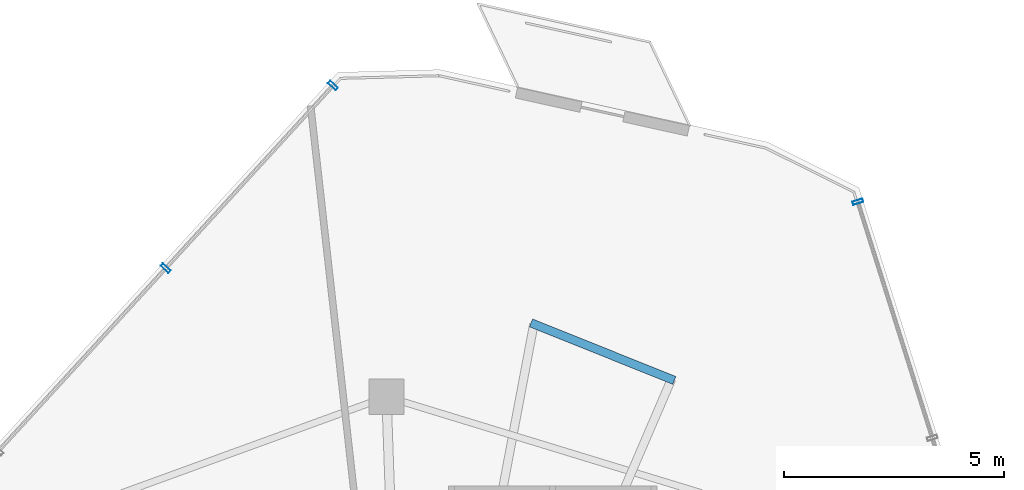
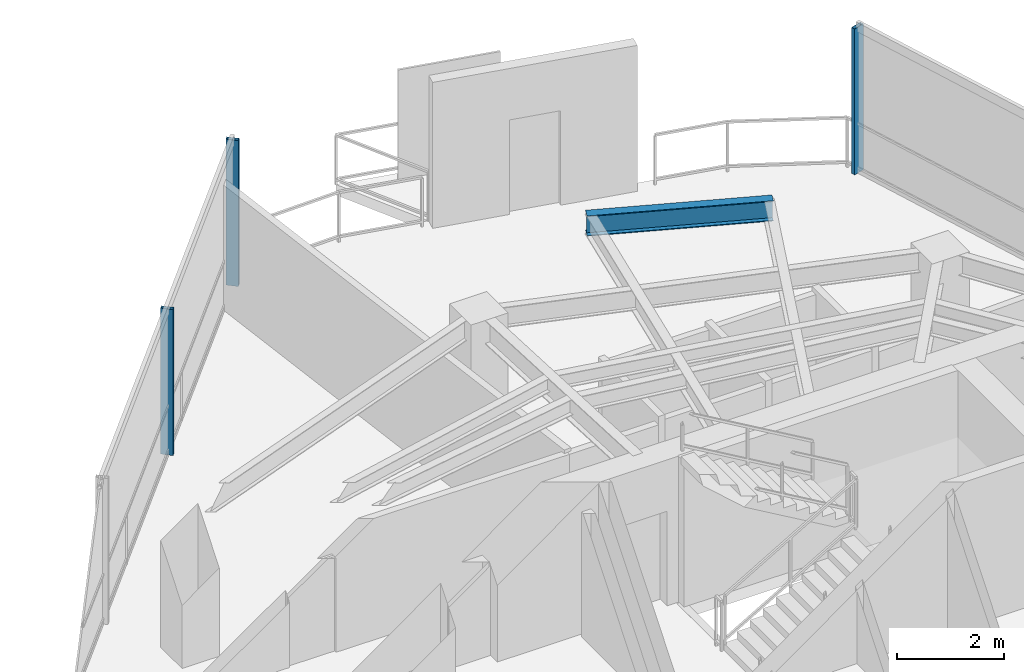
# One storey, part 13 of 18: 3 members, 1 beam, 2 elements without a shape of their own.
"""IFC4 building model written with IfcOpenShell, lengths in metres."""

from ifc_helpers import new_model, si_unit, direction, frame, origin, origin_2d, place, context, subcontext, project, spatial, hollow_rectangle, i_section, extrude, material, layer, layer_set, material_profile, profile_set, type_object, element, aggregate, save


model = new_model("IFC4")

# Units and contexts
model_context = context("Model", 3, precision=1e-05, world=origin(), true_north=direction((0.0, 1.0)))
body_context = subcontext(model_context, "Body", "Model", "MODEL_VIEW")
ifc_project = project(units=[si_unit("LENGTHUNIT", "METRE"), si_unit("AREAUNIT", "SQUARE_METRE"), si_unit("VOLUMEUNIT", "CUBIC_METRE"), si_unit("PLANEANGLEUNIT", "RADIAN"), si_unit("MASSUNIT", "GRAM", prefix="KILO")], contexts=[model_context])

# Site, building, storey
site_placement = place(None, origin())
site = spatial("IfcSite", under=ifc_project, at=site_placement, CompositionType="ELEMENT")
building_placement = place(site_placement, origin())
building = spatial("IfcBuilding", under=site, at=building_placement, Name="Qarnah Convention Tower", CompositionType="ELEMENT")
storey_placement = place(building_placement, frame((0.0, 0.0, 246.300048828125)))
storey = spatial("IfcBuildingStorey", under=building, at=storey_placement, Name="L66", CompositionType="ELEMENT", Elevation=246.300048828125)

# Beam
ifc_material_1 = material(Name="Structural steel S355JR", Category="steel")
ifc_material_profile_1 = material_profile(ifc_material_1, i_section(OverallWidth=0.19189453125, OverallDepth=0.464111328125, WebThickness=0.010986328125, FlangeThickness=0.01806640625, at=origin_2d()), Name="W460X89")
ifc_profile_set_1 = profile_set([ifc_material_profile_1], Name="Structural steel S355JR")
beam_type = type_object("IfcBeamType", Name="BM-CANT-W460A", PredefinedType="BEAM", material=ifc_profile_set_1)
beam_placement = place(storey_placement, frame((40.009033203125, 41.6201171875, 3.087890625), z_axis=(0.928063247738, -0.372422620417, 0.0), x_axis=(0.372422620417, 0.928063247738, 0.0)))
element("IfcBeam", 1, at=beam_placement, inside=storey, type_object=beam_type, Name="L66 spandrel BM-L66-CTIE-01", PredefinedType="SPANDREL", context=body_context, shape_type="SweptSolid", body=[
    extrude(i_section(OverallWidth=0.19189453125, OverallDepth=0.464111328125, WebThickness=0.010986328125, FlangeThickness=0.01806640625, at=origin_2d()), origin(), (0.0, 0.0, 1.0), 3.507080078125),
])

# Curtain wall, members
ifc_material_2 = material(Name="Tempered Low-E dark glass", Category="glass")
ifc_layer = layer(ifc_material_2, 0.176025390625)
ifc_layer_set = layer_set([ifc_layer], Name="Tempered Low-E dark glass")
curtain_wall_type = type_object("IfcCurtainWallType", Name="CWS-05", PredefinedType="NOTDEFINED", material=ifc_layer_set)
curtain_wall_1_placement = place(storey_placement, origin())
curtain_wall_1 = element("IfcCurtainWall", 2, at=curtain_wall_1_placement, inside=storey, type_object=curtain_wall_type, Name="L66 unitised curtain wall CW-L66-F1", PredefinedType="NOTDEFINED")
ifc_material_3 = material(Name="Black anodised aluminium", Category="aluminium")
ifc_material_profile_2 = material_profile(ifc_material_3, hollow_rectangle(XDim=0.080078125, YDim=0.239990234375, WallThickness=0.0048828125, at=origin_2d()), Name="MUL-80X240")
ifc_profile_set_2 = profile_set([ifc_material_profile_2], Name="Black anodised aluminium")
member_type = type_object("IfcMemberType", Name="MUL-T5", PredefinedType="MULLION", material=ifc_profile_set_2)
member_1_placement = place(storey_placement, frame((31.710693359375, 42.863037109375, 0.0), z_axis=(0.0, 0.0, 1.0), x_axis=(0.675336373666, 0.737509852411, 0.0)))
member_1 = element("IfcMember", 3, at=member_1_placement, type_object=member_type, Name="CW-L66-F1 mullion 5", PredefinedType="MULLION", context=body_context, shape_type="SweptSolid", body=[
    extrude(hollow_rectangle(XDim=0.080078125, YDim=0.239990234375, WallThickness=0.0048828125, at=origin_2d()), origin(), (0.0, 0.0, 1.0), 3.320068359375),
])
member_2_placement = place(storey_placement, frame((35.508056640625, 47.010009765625, 0.0), z_axis=(0.0, 0.0, 1.0), x_axis=(0.675336373666, 0.737509852411, 0.0)))
member_2 = element("IfcMember", 4, at=member_2_placement, type_object=member_type, Name="CW-L66-F1 mullion 6", PredefinedType="MULLION", context=body_context, shape_type="SweptSolid", body=[
    extrude(hollow_rectangle(XDim=0.080078125, YDim=0.239990234375, WallThickness=0.0048828125, at=origin_2d()), origin(), (0.0, 0.0, 1.0), 3.320068359375),
])
aggregate(curtain_wall_1, [member_1, member_2])

# Curtain wall, member
curtain_wall_2_placement = place(storey_placement, origin())
curtain_wall_2 = element("IfcCurtainWall", 5, at=curtain_wall_2_placement, inside=storey, type_object=curtain_wall_type, Name="L66 unitised curtain wall CW-L66-F2", PredefinedType="NOTDEFINED")
member_3_placement = place(storey_placement, frame((47.431884765625, 44.37109375, 0.0), z_axis=(0.0, 0.0, 1.0), x_axis=(0.301024127951, -0.953616523762, 0.0)))
member_3 = element("IfcMember", 6, at=member_3_placement, type_object=member_type, Name="CW-L66-F2 mullion 1", PredefinedType="MULLION", context=body_context, shape_type="SweptSolid", body=[
    extrude(hollow_rectangle(XDim=0.080078125, YDim=0.239990234375, WallThickness=0.0048828125, at=origin_2d()), origin(), (0.0, 0.0, 1.0), 3.320068359375),
])
aggregate(curtain_wall_2, [member_3])

save(model, "model.ifc")
